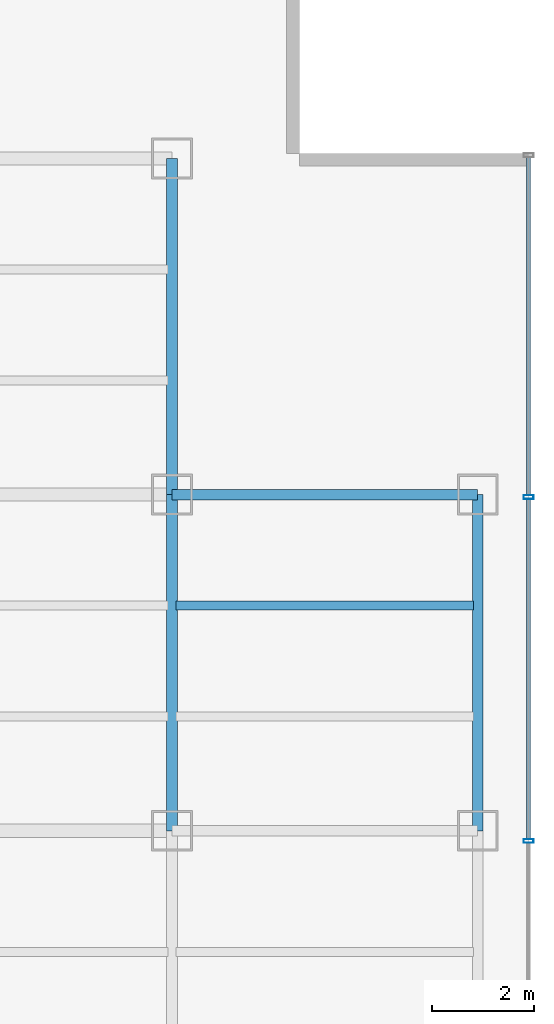
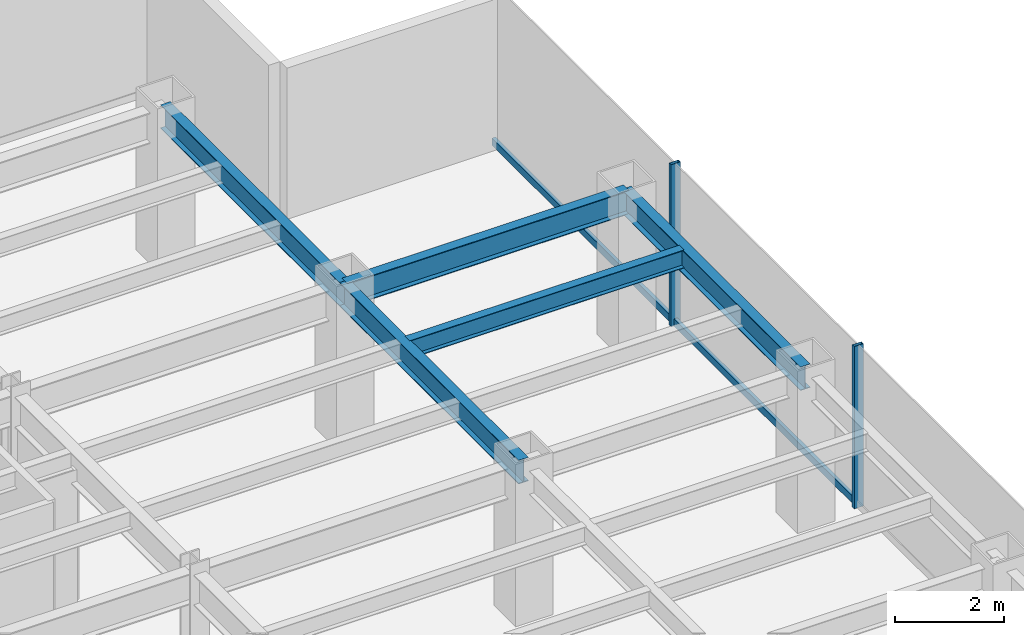
# One storey, part 12 of 26: 5 beams, 4 members, 1 element without a shape of its own.
"""IFC4 building model written with IfcOpenShell, lengths in metres."""

from ifc_helpers import new_model, si_unit, derived_unit, direction, frame, origin, origin_2d, place, context, subcontext, project, spatial, hollow_rectangle, i_section, extrude, source, transform, mapped, material, material_profile, profile_set, type_object, element, aggregate, save


model = new_model("IFC4")

# Units and contexts
model_context = context("Model", 3, precision=1e-05, world=origin(), true_north=direction((0.0, 1.0)))
body_context = subcontext(model_context, "Body", "Model", "MODEL_VIEW")
ifc_project = project(units=[si_unit("LENGTHUNIT", "METRE"), si_unit("AREAUNIT", "SQUARE_METRE"), si_unit("VOLUMEUNIT", "CUBIC_METRE"), si_unit("PLANEANGLEUNIT", "RADIAN"), si_unit("MASSUNIT", "GRAM", prefix="KILO"), derived_unit("THERMALTRANSMITTANCEUNIT", [(si_unit("POWERUNIT", "WATT"), 1), (si_unit("LENGTHUNIT", "METRE"), -2), (si_unit("THERMODYNAMICTEMPERATUREUNIT", "KELVIN"), -1)])], contexts=[model_context])

# Site, building, storey
site_placement = place(None, origin())
site = spatial("IfcSite", under=ifc_project, at=site_placement, CompositionType="ELEMENT")
building_placement = place(site_placement, origin())
building = spatial("IfcBuilding", under=site, at=building_placement, Name="Skarnbrae Concourse Arena and Tower", CompositionType="ELEMENT")
storey_placement = place(building_placement, frame((0.0, 0.0, 117.85009765625)))
storey = spatial("IfcBuildingStorey", under=building, at=storey_placement, Name="L29", CompositionType="ELEMENT", Elevation=117.85009765625)

# Beams
ifc_material_1 = material(Name="Steel CSA G40.21 350W", Category="steel")
ifc_material_profile_1 = material_profile(ifc_material_1, i_section(OverallWidth=0.208984375, OverallDepth=0.532958984375, WebThickness=0.01025390625, FlangeThickness=0.015625, at=origin_2d()), Name="W530X92")
ifc_profile_set_1 = profile_set([ifc_material_profile_1], Name="Steel CSA G40.21 350W")
beam_type_1 = type_object("IfcBeamType", Name="BM-SPAN-W530X92", PredefinedType="SPANDREL", material=ifc_profile_set_1)
shared_shape_1 = source(origin(), body_context, "Body", "SweptSolid", [
    extrude(i_section(OverallWidth=0.208984375, OverallDepth=0.532958984375, WebThickness=0.01025390625, FlangeThickness=0.015625, at=origin_2d()), origin(), (0.0, 0.0, 1.0), 6.0),
])
beam_1_placement = place(storey_placement, frame((49.0, 27.800048828125, 3.13330078125), z_axis=(1.0, 0.0, 0.0), x_axis=(0.0, 1.0, 0.0)))
element("IfcBeam", 1, at=beam_1_placement, inside=storey, type_object=beam_type_1, Name="L29 Perimeter spandrel Y27.8-8", PredefinedType="SPANDREL", context=body_context, shape_type="MappedRepresentation", body=[
    mapped(shared_shape_1, transform((0.0, 0.0, 0.0))),
])
shared_shape_2 = source(origin(), body_context, "Body", "SweptSolid", [
    extrude(i_section(OverallWidth=0.208984375, OverallDepth=0.532958984375, WebThickness=0.01025390625, FlangeThickness=0.015625, at=origin_2d()), origin(), (0.0, 0.0, 1.0), 6.60009765625),
])
for number, where, z_axis, x_axis, name in (
    (2, (49.0, 21.199951171875, 3.13330078125), (0.0, 1.0, 0.0), (-1.0, 0.0, 0.0), "L29 Perimeter spandrel X49.0-3"),
    (3, (55.0, 21.199951171875, 3.13330078125), (0.0, 1.0, 0.0), (-1.0, 0.0, 0.0), "L29 Perimeter spandrel X55.0-3"),
):
    element("IfcBeam", number, at=place(storey_placement, frame(where, z_axis=z_axis, x_axis=x_axis)), inside=storey, type_object=beam_type_1, Name=name, PredefinedType="SPANDREL", context=body_context, shape_type="MappedRepresentation", body=[
        mapped(shared_shape_2, transform((0.0, 0.0, 0.0))),
    ])
shared_shape_3 = source(origin(), body_context, "Body", "SweptSolid", [
    extrude(i_section(OverallWidth=0.208984375, OverallDepth=0.532958984375, WebThickness=0.01025390625, FlangeThickness=0.015625, at=origin_2d()), origin(), (0.0, 0.0, 1.0), 6.599853515625),
])
beam_2_placement = place(storey_placement, frame((49.0, 27.800048828125, 3.13330078125), z_axis=(0.0, 1.0, 0.0), x_axis=(-1.0, 0.0, 0.0)))
element("IfcBeam", 4, at=beam_2_placement, inside=storey, type_object=beam_type_1, Name="L29 Perimeter spandrel X49.0-4", PredefinedType="SPANDREL", context=body_context, shape_type="MappedRepresentation", body=[
    mapped(shared_shape_3, transform((0.0, 0.0, 0.0))),
])
ifc_material_profile_2 = material_profile(ifc_material_1, i_section(OverallWidth=0.177978515625, OverallDepth=0.406982421875, WebThickness=0.0078125, FlangeThickness=0.0126953125, at=origin_2d()), Name="W410X60")
ifc_profile_set_2 = profile_set([ifc_material_profile_2], Name="Steel CSA G40.21 350W")
beam_type_2 = type_object("IfcBeamType", Name="BM-JOIST-W410X60", PredefinedType="JOIST", material=ifc_profile_set_2)
shared_shape_4 = source(origin(), body_context, "Body", "SweptSolid", [
    extrude(i_section(OverallWidth=0.177978515625, OverallDepth=0.406982421875, WebThickness=0.0078125, FlangeThickness=0.0126953125, at=origin_2d()), origin(), (0.0, 0.0, 1.0), 5.83984375),
])
beam_3_placement = place(storey_placement, frame((49.080078125, 25.6220703125, 3.1962890625), z_axis=(1.0, 0.0, 0.0), x_axis=(0.0, 1.0, 0.0)))
element("IfcBeam", 5, at=beam_3_placement, inside=storey, type_object=beam_type_2, Name="L29 Secondary floor joist 2.2.8", PredefinedType="JOIST", context=body_context, shape_type="MappedRepresentation", body=[
    mapped(shared_shape_4, transform((0.0, 0.0, 0.0))),
])

# Curtain wall, members
ifc_material_2 = material(Name="Bronze anodised aluminium 6063-T6", Category="aluminium")
curtain_wall_type = type_object("IfcCurtainWallType", Name="CW-SYS-04-MIDZONE", PredefinedType="USERDEFINED", material=ifc_material_2)
curtain_wall_placement = place(storey_placement, origin())
curtain_wall = element("IfcCurtainWall", 6, at=curtain_wall_placement, inside=storey, type_object=curtain_wall_type, Name="L29 Unitised curtain wall CW-L29-E04", ObjectType="UNITISED CURTAIN WALL", PredefinedType="USERDEFINED")
ifc_material_profile_3 = material_profile(ifc_material_2, hollow_rectangle(XDim=0.074951171875, YDim=0.195068359375, WallThickness=0.00439453125, at=origin_2d()), Name="ALU-MULL-75X195")
ifc_profile_set_3 = profile_set([ifc_material_profile_3], Name="Bronze anodised aluminium 6063-T6")
member_type_1 = type_object("IfcMemberType", Name="CWM-CW-04", PredefinedType="MULLION", material=ifc_profile_set_3)
shared_shape_5 = source(origin(), body_context, "Body", "SweptSolid", [
    extrude(hollow_rectangle(XDim=0.074951171875, YDim=0.195068359375, WallThickness=0.00439453125, at=origin_2d()), origin(), (0.0, 0.0, 1.0), 3.64990234375),
])
member_1_placement = place(storey_placement, frame((56.0, 21.0, 0.0), z_axis=(0.0, 0.0, 1.0), x_axis=(0.0, 1.0, 0.0)))
member_1 = element("IfcMember", 7, at=member_1_placement, type_object=member_type_1, Name="CW-L29-E04 Mullion 3", PredefinedType="MULLION", context=body_context, shape_type="MappedRepresentation", body=[
    mapped(shared_shape_5, transform((0.0, 0.0, 0.0))),
])
member_2_placement = place(storey_placement, frame((56.0, 27.75, 0.0), z_axis=(0.0, 0.0, 1.0), x_axis=(0.0, 1.0, 0.0)))
member_2 = element("IfcMember", 8, at=member_2_placement, type_object=member_type_1, Name="CW-L29-E04 Mullion 4", PredefinedType="MULLION", context=body_context, shape_type="MappedRepresentation", body=[
    mapped(shared_shape_5, transform((0.0, 0.0, 0.0))),
])
ifc_material_profile_4 = material_profile(ifc_material_2, hollow_rectangle(XDim=0.074951171875, YDim=0.159912109375, WallThickness=0.00439453125, at=origin_2d()), Name="ALU-TRAN-75X160")
ifc_profile_set_4 = profile_set([ifc_material_profile_4], Name="Bronze anodised aluminium 6063-T6")
member_type_2 = type_object("IfcMemberType", Name="CWT-CW-04", PredefinedType="USERDEFINED", material=ifc_profile_set_4)
shared_shape_6 = source(origin(), body_context, "Body", "SweptSolid", [
    extrude(hollow_rectangle(XDim=0.074951171875, YDim=0.159912109375, WallThickness=0.00439453125, at=origin_2d()), origin(), (0.0, 0.0, 1.0), 6.637451171875),
])
member_3_placement = place(storey_placement, frame((56.0, 27.78759765625, 0.079833984375), z_axis=(0.0, 1.0, 0.0), x_axis=(-1.0, 0.0, 0.0)))
member_3 = element("IfcMember", 9, at=member_3_placement, type_object=member_type_2, Name="CW-L29-E04 Transom 4", ObjectType="TRANSOM", PredefinedType="USERDEFINED", context=body_context, shape_type="MappedRepresentation", body=[
    mapped(shared_shape_6, transform((0.0, 0.0, 0.0))),
])
shared_shape_7 = source(origin(), body_context, "Body", "SweptSolid", [
    extrude(hollow_rectangle(XDim=0.074951171875, YDim=0.159912109375, WallThickness=0.00439453125, at=origin_2d()), origin(), (0.0, 0.0, 1.0), 6.6748046875),
])
member_4_placement = place(storey_placement, frame((56.0, 21.03759765625, 0.079833984375), z_axis=(0.0, 1.0, 0.0), x_axis=(-1.0, 0.0, 0.0)))
member_4 = element("IfcMember", 10, at=member_4_placement, type_object=member_type_2, Name="CW-L29-E04 Transom 3", ObjectType="TRANSOM", PredefinedType="USERDEFINED", context=body_context, shape_type="MappedRepresentation", body=[
    mapped(shared_shape_7, transform((0.0, 0.0, 0.0))),
])
aggregate(curtain_wall, [member_1, member_2, member_4, member_3])

save(model, "model.ifc")
